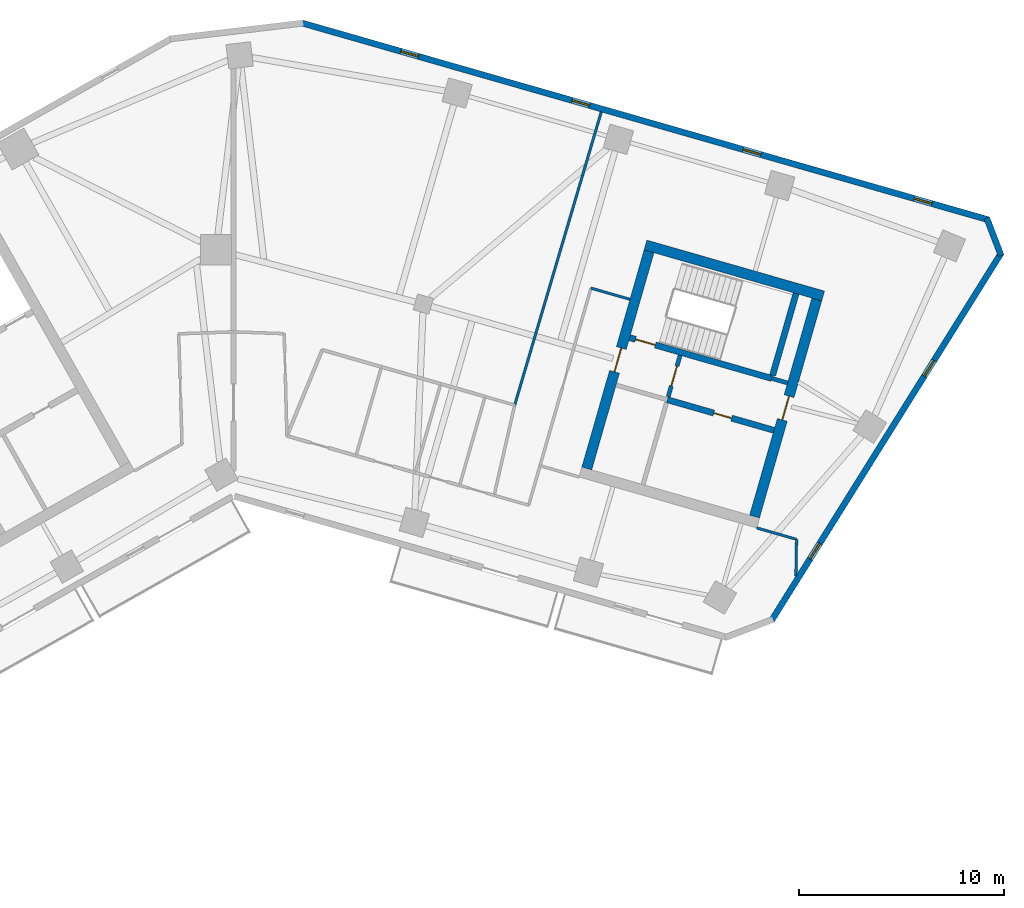
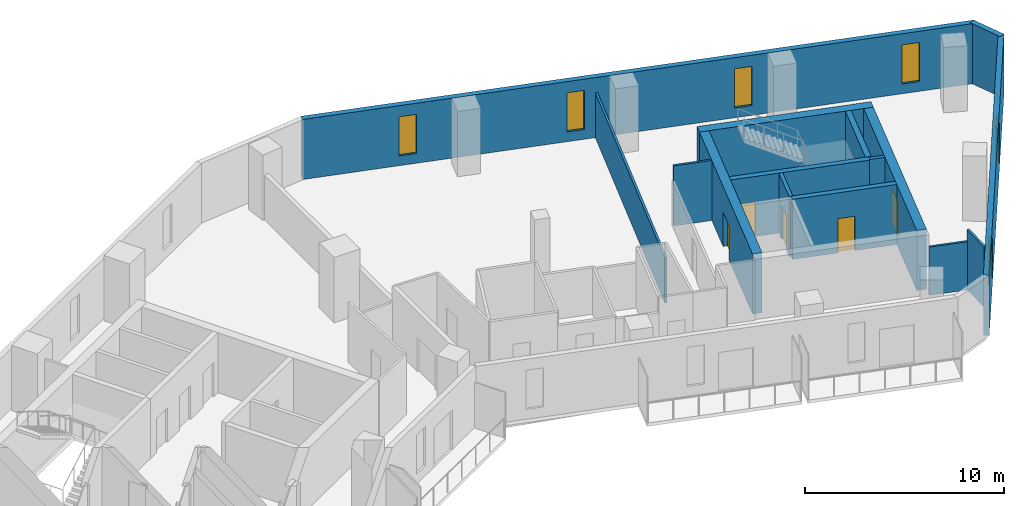
# One storey, part 6 of 9: 15 walls, 6 windows, 5 doors, 11 openings.
"""IFC4 building model written with IfcOpenShell, lengths in metres."""

from ifc_helpers import new_model, si_unit, direction, frame, frame_2d, origin, place, context, subcontext, project, spatial, rectangle, extrude, material, layer, layer_set, type_object, element, fill, save


model = new_model("IFC4")

# Units and contexts
model_context = context("Model", 3, precision=1e-05, world=origin(), true_north=direction((0.0, 1.0)))
body_context = subcontext(model_context, "Body", "Model", "MODEL_VIEW")
ifc_project = project(units=[si_unit("LENGTHUNIT", "METRE"), si_unit("AREAUNIT", "SQUARE_METRE"), si_unit("VOLUMEUNIT", "CUBIC_METRE"), si_unit("PLANEANGLEUNIT", "RADIAN"), si_unit("MASSUNIT", "GRAM", prefix="KILO")], contexts=[model_context])

# Site, building, storey
site_placement = place(None, origin())
site = spatial("IfcSite", under=ifc_project, at=site_placement, CompositionType="ELEMENT")
building_placement = place(site_placement, origin())
building = spatial("IfcBuilding", under=site, at=building_placement, Name="Binnacle Exchange Tower", CompositionType="ELEMENT")
storey_placement = place(building_placement, frame((0.0, 0.0, 166.89990234375)))
storey = spatial("IfcBuildingStorey", under=building, at=storey_placement, Name="L35", CompositionType="ELEMENT", Elevation=166.89990234375)

# Wall, opening, door
ifc_material_1 = material(Name="Concrete C70/85", Category="concrete")
ifc_layer_1 = layer(ifc_material_1, 0.300048828125)
ifc_layer_set_1 = layer_set([ifc_layer_1], Name="Core wall - front 300")
wall_type_1 = type_object("IfcWallType", Name="Core wall - front 300", PredefinedType="SOLIDWALL", material=ifc_layer_set_1)
wall_1_placement = place(storey_placement, frame((21.130859375, 52.6923828125, 0.0), z_axis=(0.0, 0.0, 1.0), x_axis=(0.961271043721, -0.27560475414, 0.0)))
wall_1 = element("IfcWall", 1, at=wall_1_placement, inside=storey, type_object=wall_type_1, Name="Core wall CRWD3", PredefinedType="SOLIDWALL", context=body_context, shape_type="SweptSolid", body=[
    extrude(rectangle(XDim=5.400146484375, YDim=0.300048828125, at=frame_2d((2.7001953125, 0.0))), origin(), (0.0, 0.0, 1.0), 3.68017578125),
])
opening_1_placement = place(wall_1_placement, frame((2.35009765625, 0.0, 0.0)))
opening_1 = element("IfcOpeningElement", 2, at=opening_1_placement, cuts=wall_1, Name="Opening DD10", PredefinedType="OPENING", context=body_context, shape_type="SweptSolid", body=[
    extrude(rectangle(XDim=0.89990234375, YDim=2.10009765625, at=frame_2d((0.449951171875, 1.050048828125))), frame((0.0, 0.159912109375, 0.0), z_axis=(0.0, -1.0, 0.0), x_axis=(1.0, 0.0, 0.0)), (0.0, 0.0, 1.0), 0.320068359375),
])
ifc_material_2 = material(Name="Steel door leaf", Category="steel")
door_type_1 = type_object("IfcDoorType", Name="Fire door 900", OperationType="NOTDEFINED", PredefinedType="DOOR", material=ifc_material_2)
door_1_placement = place(opening_1_placement, frame((0.89990234375, 0.0, 0.0), z_axis=(0.0, 0.0, 1.0), x_axis=(-1.0, 0.0, 0.0)))
door_1 = element("IfcDoor", 3, at=door_1_placement, inside=storey, type_object=door_type_1, Name="Core room door PANTRY", OperationType="SINGLE_SWING_LEFT", OverallHeight=2.10009765625, OverallWidth=0.89990234375, PredefinedType="DOOR", context=body_context, shape_type="SweptSolid", body=[
    extrude(rectangle(XDim=0.89990234375, YDim=2.10009765625, at=frame_2d((0.449951171875, 1.050048828125))), frame((0.0, 0.02490234375, 0.0), z_axis=(0.0, -1.0, 0.0), x_axis=(1.0, 0.0, 0.0)), (0.0, 0.0, 1.0), 0.050048828125),
])
fill(opening_1, door_1)

# Wall
ifc_layer_2 = layer(ifc_material_1, 0.5)
ifc_layer_set_2 = layer_set([ifc_layer_2], Name="Core wall - outer 500")
wall_type_2 = type_object("IfcWallType", Name="Core wall - outer 500", PredefinedType="SOLIDWALL", material=ifc_layer_set_2)
wall_2_placement = place(storey_placement, frame((20.066650390625, 60.227783203125, 0.0), z_axis=(0.0, 0.0, 1.0), x_axis=(0.96126248289, -0.275634611374, 0.0)))
element("IfcWall", 4, at=wall_2_placement, inside=storey, type_object=wall_type_2, Name="Core wall CRWD6", PredefinedType="SOLIDWALL", context=body_context, shape_type="SweptSolid", body=[
    extrude(rectangle(XDim=9.0, YDim=0.5, at=frame_2d((4.5, 0.0))), origin(), (0.0, 0.0, 1.0), 3.68017578125),
])

# Wall, opening, door
wall_3_placement = place(storey_placement, frame((17.2060546875, 49.344482421875, 0.0), z_axis=(0.0, 0.0, 1.0), x_axis=(0.275632651182, 0.961263044958, 0.0)))
wall_3 = element("IfcWall", 5, at=wall_3_placement, inside=storey, type_object=wall_type_2, Name="Core wall CRWD7", PredefinedType="SOLIDWALL", context=body_context, shape_type="SweptSolid", body=[
    extrude(rectangle(XDim=11.0, YDim=0.5, at=frame_2d((5.5, 0.0))), origin(), (0.0, 0.0, 1.0), 3.68017578125),
])
opening_2_placement = place(wall_3_placement, frame((4.89990234375, 0.0, 0.0)))
opening_2 = element("IfcOpeningElement", 6, at=opening_2_placement, cuts=wall_3, Name="Opening DD5", PredefinedType="OPENING", context=body_context, shape_type="SweptSolid", body=[
    extrude(rectangle(XDim=1.199951171875, YDim=2.10009765625, at=frame_2d((0.60009765625, 1.050048828125))), frame((0.0, 0.260009765625, 0.0), z_axis=(0.0, -1.0, 0.0), x_axis=(1.0, 0.0, 0.0)), (0.0, 0.0, 1.0), 0.52001953125),
])
door_type_2 = type_object("IfcDoorType", Name="Fire door 1200", OperationType="NOTDEFINED", PredefinedType="DOOR", material=ifc_material_2)
door_2_placement = place(opening_2_placement, origin())
door_2 = element("IfcDoor", 7, at=door_2_placement, inside=storey, type_object=door_type_2, Name="Vestibule exit door VEST-W", OperationType="SINGLE_SWING_LEFT", OverallHeight=2.10009765625, OverallWidth=1.199951171875, PredefinedType="DOOR", context=body_context, shape_type="SweptSolid", body=[
    extrude(rectangle(XDim=1.199951171875, YDim=2.10009765625, at=frame_2d((0.60009765625, 1.050048828125))), frame((0.0, 0.02490234375, 0.0), z_axis=(0.0, -1.0, 0.0), x_axis=(1.0, 0.0, 0.0)), (0.0, 0.0, 1.0), 0.050048828125),
])
fill(opening_2, door_2)

wall_4_placement = place(storey_placement, frame((25.376708984375, 47.001708984375, 0.0), z_axis=(0.0, 0.0, 1.0), x_axis=(0.275632651182, 0.961263044958, 0.0)))
wall_4 = element("IfcWall", 8, at=wall_4_placement, inside=storey, type_object=wall_type_2, Name="Core wall CRWD12", PredefinedType="SOLIDWALL", context=body_context, shape_type="SweptSolid", body=[
    extrude(rectangle(XDim=11.0, YDim=0.5, at=frame_2d((5.5, 0.0))), origin(), (0.0, 0.0, 1.0), 3.68017578125),
])
opening_3_placement = place(wall_4_placement, frame((4.89990234375, 0.0, 0.0)))
opening_3 = element("IfcOpeningElement", 9, at=opening_3_placement, cuts=wall_4, Name="Opening DD6", PredefinedType="OPENING", context=body_context, shape_type="SweptSolid", body=[
    extrude(rectangle(XDim=1.199951171875, YDim=2.10009765625, at=frame_2d((0.60009765625, 1.050048828125))), frame((0.0, 0.260009765625, 0.0), z_axis=(0.0, -1.0, 0.0), x_axis=(1.0, 0.0, 0.0)), (0.0, 0.0, 1.0), 0.52001953125),
])
door_3_placement = place(opening_3_placement, frame((1.199951171875, 0.0, 0.0), z_axis=(0.0, 0.0, 1.0), x_axis=(-1.0, 0.0, 0.0)))
door_3 = element("IfcDoor", 10, at=door_3_placement, inside=storey, type_object=door_type_2, Name="Core passage exit door", OperationType="SINGLE_SWING_RIGHT", OverallHeight=2.10009765625, OverallWidth=1.199951171875, PredefinedType="DOOR", context=body_context, shape_type="SweptSolid", body=[
    extrude(rectangle(XDim=1.199951171875, YDim=2.10009765625, at=frame_2d((0.60009765625, 1.050048828125))), frame((0.0, 0.02490234375, 0.0), z_axis=(0.0, -1.0, 0.0), x_axis=(1.0, 0.0, 0.0)), (0.0, 0.0, 1.0), 0.050048828125),
])
fill(opening_3, door_3)

ifc_layer_3 = layer(ifc_material_1, 0.300048828125)
ifc_layer_set_3 = layer_set([ifc_layer_3], Name="Core wall - stair 300")
wall_type_3 = type_object("IfcWallType", Name="Core wall - stair 300", PredefinedType="SOLIDWALL", material=ifc_layer_set_3)
wall_5_placement = place(storey_placement, frame((19.293212890625, 55.71630859375, 0.0), z_axis=(0.0, 0.0, 1.0), x_axis=(0.96125862491, -0.275648065539, 0.0)))
wall_5 = element("IfcWall", 11, at=wall_5_placement, inside=storey, type_object=wall_type_3, Name="Core wall CRWD4", PredefinedType="SOLIDWALL", context=body_context, shape_type="SweptSolid", body=[
    extrude(rectangle(XDim=7.199951171875, YDim=0.300048828125, at=frame_2d((3.60009765625, 0.0))), origin(), (0.0, 0.0, 1.0), 3.68017578125),
])
opening_4_placement = place(wall_5_placement, frame((0.300048828125, 0.0, 0.0)))
opening_4 = element("IfcOpeningElement", 12, at=opening_4_placement, cuts=wall_5, Name="Opening DD1", PredefinedType="OPENING", context=body_context, shape_type="SweptSolid", body=[
    extrude(rectangle(XDim=1.0, YDim=2.10009765625, at=frame_2d((0.5, 1.050048828125))), frame((0.0, 0.159912109375, 0.0), z_axis=(0.0, -1.0, 0.0), x_axis=(1.0, 0.0, 0.0)), (0.0, 0.0, 1.0), 0.320068359375),
])
door_type_3 = type_object("IfcDoorType", Name="Fire door 1000", OperationType="NOTDEFINED", PredefinedType="DOOR", material=ifc_material_2)
door_4_placement = place(opening_4_placement, origin())
door_4 = element("IfcDoor", 13, at=door_4_placement, inside=storey, type_object=door_type_3, Name="Stair door ST-D1", OperationType="SINGLE_SWING_LEFT", OverallHeight=2.10009765625, OverallWidth=1.0, PredefinedType="DOOR", context=body_context, shape_type="SweptSolid", body=[
    extrude(rectangle(XDim=1.0, YDim=2.10009765625, at=frame_2d((0.5, 1.050048828125))), frame((0.0, 0.02490234375, 0.0), z_axis=(0.0, -1.0, 0.0), x_axis=(1.0, 0.0, 0.0)), (0.0, 0.0, 1.0), 0.050048828125),
])
fill(opening_4, door_4)

# Wall
wall_6_placement = place(storey_placement, frame((26.255615234375, 53.875732421875, 0.0), z_axis=(0.0, 0.0, 1.0), x_axis=(0.275614546295, 0.961268236171, 0.0)))
element("IfcWall", 14, at=wall_6_placement, inside=storey, type_object=wall_type_3, Name="Core wall CRWD11", PredefinedType="SOLIDWALL", context=body_context, shape_type="SweptSolid", body=[
    extrude(rectangle(XDim=4.14990234375, YDim=0.300048828125, at=frame_2d((2.074951171875, 0.0))), origin(), (0.0, 0.0, 1.0), 3.68017578125),
])

# Wall, openings, windows
ifc_material_3 = material(Name="Bronze aluminium cladding", Category="aluminium")
ifc_layer_4 = layer(ifc_material_3, 0.300048828125)
ifc_layer_set_4 = layer_set([ifc_layer_4], Name="External wall - spandrel 300")
wall_type_4 = type_object("IfcWallType", Name="External wall - spandrel 300", PredefinedType="STANDARD", material=ifc_layer_set_4)
wall_7_placement = place(storey_placement, frame((37.39892578125, 59.850830078125, 0.0), z_axis=(0.0, 0.0, 1.0), x_axis=(-0.529919986982, -0.848047644532, 0.0)))
wall_7 = element("IfcWall", 15, at=wall_7_placement, inside=storey, type_object=wall_type_4, Name="External wall EW-G04 L35", PredefinedType="STANDARD", context=body_context, shape_type="SweptSolid", body=[
    extrude(rectangle(XDim=21.125, YDim=0.300048828125, at=frame_2d((10.5625, 0.0))), origin(), (0.0, 0.0, 1.0), 3.68017578125),
])
opening_5_placement = place(wall_7_placement, frame((16.687255859375, 0.0, 0.60009765625)))
opening_5 = element("IfcOpeningElement", 16, at=opening_5_placement, cuts=wall_7, Name="Opening WS3", PredefinedType="OPENING", context=body_context, shape_type="SweptSolid", body=[
    extrude(rectangle(XDim=0.89990234375, YDim=2.39990234375, at=frame_2d((0.449951171875, 1.199951171875))), frame((0.0, 0.159912109375, 0.0), z_axis=(0.0, -1.0, 0.0), x_axis=(1.0, 0.0, 0.0)), (0.0, 0.0, 1.0), 0.320068359375),
])
opening_6_placement = place(wall_7_placement, frame((6.187255859375, 0.0, 0.60009765625)))
opening_6 = element("IfcOpeningElement", 17, at=opening_6_placement, cuts=wall_7, Name="Opening WS3", PredefinedType="OPENING", context=body_context, shape_type="SweptSolid", body=[
    extrude(rectangle(XDim=0.89990234375, YDim=2.39990234375, at=frame_2d((0.449951171875, 1.199951171875))), frame((0.0, 0.159912109375, 0.0), z_axis=(0.0, -1.0, 0.0), x_axis=(1.0, 0.0, 0.0)), (0.0, 0.0, 1.0), 0.320068359375),
])
ifc_material_4 = material(Name="Bronze anodised aluminium frame", Category="aluminium")
window_type = type_object("IfcWindowType", Name="WS3 WINDOW 900x2400", PartitioningType="SINGLE_PANEL", PredefinedType="WINDOW", material=ifc_material_4)
window_1_placement = place(opening_5_placement, origin())
window_1 = element("IfcWindow", 18, at=window_1_placement, inside=storey, type_object=window_type, Name="Window WS3 L35", OverallHeight=2.39990234375, OverallWidth=0.89990234375, PartitioningType="SINGLE_PANEL", PredefinedType="WINDOW", context=body_context, shape_type="SweptSolid", body=[
    extrude(rectangle(XDim=0.89990234375, YDim=2.39990234375, at=frame_2d((0.449951171875, 1.199951171875))), frame((0.0, 0.030029296875, 0.0), z_axis=(0.0, -1.0, 0.0), x_axis=(1.0, 0.0, 0.0)), (0.0, 0.0, 1.0), 0.06005859375),
])
fill(opening_5, window_1)
window_2_placement = place(opening_6_placement, origin())
window_2 = element("IfcWindow", 19, at=window_2_placement, inside=storey, type_object=window_type, Name="Window WS3 L35", OverallHeight=2.39990234375, OverallWidth=0.89990234375, PartitioningType="SINGLE_PANEL", PredefinedType="WINDOW", context=body_context, shape_type="SweptSolid", body=[
    extrude(rectangle(XDim=0.89990234375, YDim=2.39990234375, at=frame_2d((0.449951171875, 1.199951171875))), frame((0.0, 0.030029296875, 0.0), z_axis=(0.0, -1.0, 0.0), x_axis=(1.0, 0.0, 0.0)), (0.0, 0.0, 1.0), 0.06005859375),
])
fill(opening_6, window_2)

# Wall
wall_8_placement = place(storey_placement, frame((36.685546875, 61.542724609375, 0.0), z_axis=(0.0, 0.0, 1.0), x_axis=(0.358284408222, -0.933612490718, 0.0)))
element("IfcWall", 20, at=wall_8_placement, inside=storey, type_object=wall_type_4, Name="External wall EW-G05 L35", PredefinedType="STANDARD", context=body_context, shape_type="SweptSolid", body=[
    extrude(rectangle(XDim=1.955078125, YDim=0.300048828125, at=frame_2d((0.9775390625, 0.0))), origin(), (0.0, 0.0, 1.0), 3.68017578125),
])

# Wall, openings, windows
wall_9_placement = place(storey_placement, frame((3.33544921875, 71.043701171875, 0.0), z_axis=(0.0, 0.0, 1.0), x_axis=(0.961261395375, -0.275638404002, 0.0)))
wall_9 = element("IfcWall", 21, at=wall_9_placement, inside=storey, type_object=wall_type_4, Name="External wall EW-G06 L35", PredefinedType="STANDARD", context=body_context, shape_type="SweptSolid", body=[
    extrude(rectangle(XDim=34.796630859375, YDim=0.300048828125, at=frame_2d((17.3984375, 0.0))), origin(), (0.0, 0.0, 1.0), 3.68017578125),
])
opening_7_placement = place(wall_9_placement, frame((31.01953125, 0.0, 0.60009765625)))
opening_7 = element("IfcOpeningElement", 22, at=opening_7_placement, cuts=wall_9, Name="Opening WS3", PredefinedType="OPENING", context=body_context, shape_type="SweptSolid", body=[
    extrude(rectangle(XDim=0.89990234375, YDim=2.39990234375, at=frame_2d((0.449951171875, 1.199951171875))), frame((0.0, 0.159912109375, 0.0), z_axis=(0.0, -1.0, 0.0), x_axis=(1.0, 0.0, 0.0)), (0.0, 0.0, 1.0), 0.320068359375),
])
opening_8_placement = place(wall_9_placement, frame((22.3466796875, 0.0, 0.60009765625)))
opening_8 = element("IfcOpeningElement", 23, at=opening_8_placement, cuts=wall_9, Name="Opening WS3", PredefinedType="OPENING", context=body_context, shape_type="SweptSolid", body=[
    extrude(rectangle(XDim=0.89990234375, YDim=2.39990234375, at=frame_2d((0.449951171875, 1.199951171875))), frame((0.0, 0.159912109375, 0.0), z_axis=(0.0, -1.0, 0.0), x_axis=(1.0, 0.0, 0.0)), (0.0, 0.0, 1.0), 0.320068359375),
])
opening_9_placement = place(wall_9_placement, frame((13.673583984375, 0.0, 0.60009765625)))
opening_9 = element("IfcOpeningElement", 24, at=opening_9_placement, cuts=wall_9, Name="Opening WS3", PredefinedType="OPENING", context=body_context, shape_type="SweptSolid", body=[
    extrude(rectangle(XDim=0.89990234375, YDim=2.39990234375, at=frame_2d((0.449951171875, 1.199951171875))), frame((0.0, 0.159912109375, 0.0), z_axis=(0.0, -1.0, 0.0), x_axis=(1.0, 0.0, 0.0)), (0.0, 0.0, 1.0), 0.320068359375),
])
opening_10_placement = place(wall_9_placement, frame((5.000732421875, 0.0, 0.60009765625)))
opening_10 = element("IfcOpeningElement", 25, at=opening_10_placement, cuts=wall_9, Name="Opening WS3", PredefinedType="OPENING", context=body_context, shape_type="SweptSolid", body=[
    extrude(rectangle(XDim=0.89990234375, YDim=2.39990234375, at=frame_2d((0.449951171875, 1.199951171875))), frame((0.0, 0.159912109375, 0.0), z_axis=(0.0, -1.0, 0.0), x_axis=(1.0, 0.0, 0.0)), (0.0, 0.0, 1.0), 0.320068359375),
])
window_3_placement = place(opening_7_placement, origin())
window_3 = element("IfcWindow", 26, at=window_3_placement, inside=storey, type_object=window_type, Name="Window WS3 L35", OverallHeight=2.39990234375, OverallWidth=0.89990234375, PartitioningType="SINGLE_PANEL", PredefinedType="WINDOW", context=body_context, shape_type="SweptSolid", body=[
    extrude(rectangle(XDim=0.89990234375, YDim=2.39990234375, at=frame_2d((0.449951171875, 1.199951171875))), frame((0.0, 0.030029296875, 0.0), z_axis=(0.0, -1.0, 0.0), x_axis=(1.0, 0.0, 0.0)), (0.0, 0.0, 1.0), 0.06005859375),
])
fill(opening_7, window_3)
window_4_placement = place(opening_8_placement, origin())
window_4 = element("IfcWindow", 27, at=window_4_placement, inside=storey, type_object=window_type, Name="Window WS3 L35", OverallHeight=2.39990234375, OverallWidth=0.89990234375, PartitioningType="SINGLE_PANEL", PredefinedType="WINDOW", context=body_context, shape_type="SweptSolid", body=[
    extrude(rectangle(XDim=0.89990234375, YDim=2.39990234375, at=frame_2d((0.449951171875, 1.199951171875))), frame((0.0, 0.030029296875, 0.0), z_axis=(0.0, -1.0, 0.0), x_axis=(1.0, 0.0, 0.0)), (0.0, 0.0, 1.0), 0.06005859375),
])
fill(opening_8, window_4)
window_5_placement = place(opening_9_placement, origin())
window_5 = element("IfcWindow", 28, at=window_5_placement, inside=storey, type_object=window_type, Name="Window WS3 L35", OverallHeight=2.39990234375, OverallWidth=0.89990234375, PartitioningType="SINGLE_PANEL", PredefinedType="WINDOW", context=body_context, shape_type="SweptSolid", body=[
    extrude(rectangle(XDim=0.89990234375, YDim=2.39990234375, at=frame_2d((0.449951171875, 1.199951171875))), frame((0.0, 0.030029296875, 0.0), z_axis=(0.0, -1.0, 0.0), x_axis=(1.0, 0.0, 0.0)), (0.0, 0.0, 1.0), 0.06005859375),
])
fill(opening_9, window_5)
window_6_placement = place(opening_10_placement, origin())
window_6 = element("IfcWindow", 29, at=window_6_placement, inside=storey, type_object=window_type, Name="Window WS3 L35", OverallHeight=2.39990234375, OverallWidth=0.89990234375, PartitioningType="SINGLE_PANEL", PredefinedType="WINDOW", context=body_context, shape_type="SweptSolid", body=[
    extrude(rectangle(XDim=0.89990234375, YDim=2.39990234375, at=frame_2d((0.449951171875, 1.199951171875))), frame((0.0, 0.030029296875, 0.0), z_axis=(0.0, -1.0, 0.0), x_axis=(1.0, 0.0, 0.0)), (0.0, 0.0, 1.0), 0.06005859375),
])
fill(opening_10, window_6)

# Wall, opening, door
ifc_material_5 = material(Name="Masonry block wall", Category="masonry")
ifc_layer_5 = layer(ifc_material_5, 0.199951171875)
ifc_layer_set_5 = layer_set([ifc_layer_5], Name="Fire wall - vestibule 200")
wall_type_5 = type_object("IfcWallType", Name="Fire wall - vestibule 200", PredefinedType="PARTITIONING", material=ifc_layer_set_5)
wall_10_placement = place(storey_placement, frame((21.172119140625, 52.836669921875, 0.0), z_axis=(0.0, 0.0, 1.0), x_axis=(0.275657676022, 0.961255868981, 0.0)))
wall_10 = element("IfcWall", 30, at=wall_10_placement, inside=storey, type_object=wall_type_5, Name="Core wall CRWD9", PredefinedType="PARTITIONING", context=body_context, shape_type="SweptSolid", body=[
    extrude(rectangle(XDim=2.099853515625, YDim=0.199951171875, at=frame_2d((1.0498046875, 0.0))), origin(), (0.0, 0.0, 1.0), 3.68017578125),
])
opening_11_placement = place(wall_10_placement, frame((0.550048828125, 0.0, 0.0)))
opening_11 = element("IfcOpeningElement", 31, at=opening_11_placement, cuts=wall_10, Name="Opening DD3", PredefinedType="OPENING", context=body_context, shape_type="SweptSolid", body=[
    extrude(rectangle(XDim=1.0, YDim=2.10009765625, at=frame_2d((0.5, 1.050048828125))), frame((0.0, 0.10986328125, 0.0), z_axis=(0.0, -1.0, 0.0), x_axis=(1.0, 0.0, 0.0)), (0.0, 0.0, 1.0), 0.219970703125),
])
door_5_placement = place(opening_11_placement, origin())
door_5 = element("IfcDoor", 32, at=door_5_placement, inside=storey, type_object=door_type_3, Name="Vestibule door VEST-W", OperationType="SINGLE_SWING_RIGHT", OverallHeight=2.10009765625, OverallWidth=1.0, PredefinedType="DOOR", context=body_context, shape_type="SweptSolid", body=[
    extrude(rectangle(XDim=1.0, YDim=2.10009765625, at=frame_2d((0.5, 1.050048828125))), frame((0.0, 0.02490234375, 0.0), z_axis=(0.0, -1.0, 0.0), x_axis=(1.0, 0.0, 0.0)), (0.0, 0.0, 1.0), 0.050048828125),
])
fill(opening_11, door_5)

# Walls
ifc_material_6 = material(Name="Gypsum partition")
ifc_layer_6 = layer(ifc_material_6, 0.125)
ifc_layer_set_6 = layer_set([ifc_layer_6], Name="Partition 125")
wall_type_6 = type_object("IfcWallType", Name="Partition 125", PredefinedType="PARTITIONING", material=ifc_layer_set_6)
wall_11_placement = place(storey_placement, frame((13.694091796875, 52.431884765625, 0.0), z_axis=(0.0, 0.0, 1.0), x_axis=(0.28327517645, 0.959038672008, 0.0)))
element("IfcWall", 33, at=wall_11_placement, inside=storey, type_object=wall_type_6, Name="Partition W27", PredefinedType="PARTITIONING", context=body_context, shape_type="SweptSolid", body=[
    extrude(rectangle(XDim=14.885986328125, YDim=0.125, at=frame_2d((7.44287109375, 0.0))), origin(), (0.0, 0.0, 1.0), 2.748046875),
])
wall_12_placement = place(storey_placement, frame((17.408935546875, 58.12890625, 0.0), z_axis=(0.0, 0.0, 1.0), x_axis=(0.961253165474, -0.275667103345, 0.0)))
element("IfcWall", 34, at=wall_12_placement, inside=storey, type_object=wall_type_6, Name="Partition W31", PredefinedType="PARTITIONING", context=body_context, shape_type="SweptSolid", body=[
    extrude(rectangle(XDim=1.976806640625, YDim=0.125, at=frame_2d((0.98828125, 0.0))), origin(), (0.0, 0.0, 1.0), 3.68017578125),
])
wall_13_placement = place(storey_placement, frame((25.47900390625, 46.451904296875, 0.0), z_axis=(0.0, 0.0, 1.0), x_axis=(0.961245725795, -0.275693044238, 0.0)))
element("IfcWall", 35, at=wall_13_placement, inside=storey, type_object=wall_type_6, Name="Partition W32", PredefinedType="PARTITIONING", context=body_context, shape_type="SweptSolid", body=[
    extrude(rectangle(XDim=2.0234375, YDim=0.125, at=frame_2d((1.01171875, 0.0))), origin(), (0.0, 0.0, 1.0), 2.9521484375),
])
wall_14_placement = place(storey_placement, frame((27.39111328125, 44.116943359375, 0.0), z_axis=(0.0, 0.0, 1.0), x_axis=(0.018543314717, 0.999828057958, 0.0)))
element("IfcWall", 36, at=wall_14_placement, inside=storey, type_object=wall_type_6, Name="Partition W33", PredefinedType="PARTITIONING", context=body_context, shape_type="SweptSolid", body=[
    extrude(rectangle(XDim=1.77734375, YDim=0.125, at=frame_2d((0.888671875, 0.0))), origin(), (0.0, 0.0, 1.0), 3.68017578125),
])
ifc_layer_7 = layer(ifc_material_5, 0.199951171875)
ifc_layer_set_7 = layer_set([ifc_layer_7], Name="Riser wall 200")
wall_type_7 = type_object("IfcWallType", Name="Riser wall 200", PredefinedType="SOLIDWALL", material=ifc_layer_set_7)
wall_15_placement = place(storey_placement, frame((26.214111328125, 53.731689453125, 0.0), z_axis=(0.0, 0.0, 1.0), x_axis=(0.961200870072, -0.275849392554, 0.0)))
element("IfcWall", 37, at=wall_15_placement, inside=storey, type_object=wall_type_7, Name="Core wall CRWD5", PredefinedType="SOLIDWALL", context=body_context, shape_type="SweptSolid", body=[
    extrude(rectangle(XDim=0.800048828125, YDim=0.199951171875, at=frame_2d((0.39990234375, 0.0))), origin(), (0.0, 0.0, 1.0), 3.68017578125),
])

save(model, "model.ifc")
